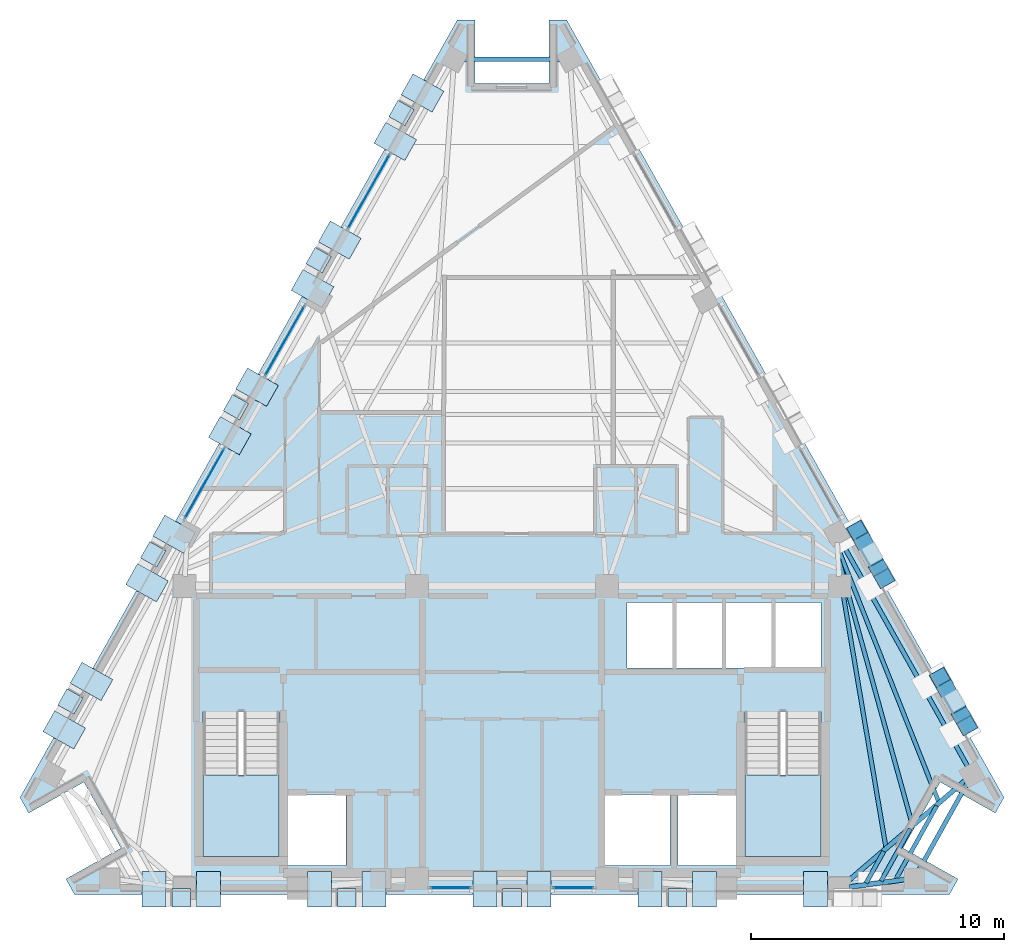
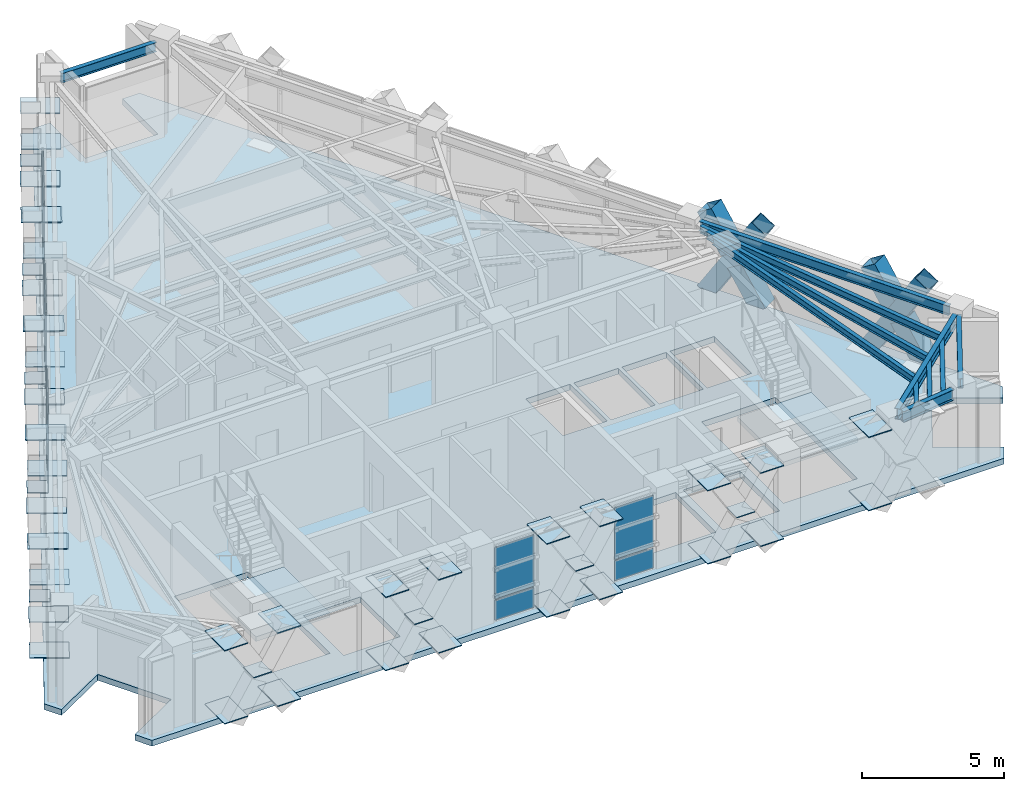
# One storey, part 5 of 11: 57 plates, 11 beams, 6 members, 3 slabs, 7 elements without a shape of their own.
"""IFC4 building model written with IfcOpenShell, lengths in metres."""

from ifc_helpers import new_model, si_unit, direction, frame, origin, origin_2d, place, context, subcontext, project, spatial, polyline, rectangle, hollow_rectangle, i_section, outline, extrude, material, layer, layer_set, material_profile, profile_set, type_object, element, aggregate, save


model = new_model("IFC4")

# Units and contexts
model_context = context("Model", 3, precision=1e-05, world=origin(), true_north=direction((0.0, 1.0)))
body_context = subcontext(model_context, "Body", "Model", "MODEL_VIEW")
ifc_project = project(units=[si_unit("LENGTHUNIT", "METRE"), si_unit("AREAUNIT", "SQUARE_METRE"), si_unit("VOLUMEUNIT", "CUBIC_METRE"), si_unit("PLANEANGLEUNIT", "RADIAN"), si_unit("MASSUNIT", "GRAM", prefix="KILO")], contexts=[model_context])

# Site, building, storey
site_placement = place(None, origin())
site = spatial("IfcSite", under=ifc_project, at=site_placement, CompositionType="ELEMENT")
building_placement = place(site_placement, origin())
building = spatial("IfcBuilding", under=site, at=building_placement, Name="Quenlor Broadcast Tower", CompositionType="ELEMENT")
storey_placement = place(building_placement, frame((0.0, 0.0, 242.89990234375)))
storey = spatial("IfcBuildingStorey", under=building, at=storey_placement, Name="L67", CompositionType="ELEMENT", Elevation=242.89990234375)

# Members
ifc_material_1 = material(Name="Steel S355", Category="steel")
ifc_material_profile_1 = material_profile(ifc_material_1, hollow_rectangle(XDim=0.679931640625, YDim=0.679931640625, WallThickness=0.02001953125, at=origin_2d()))
ifc_profile_set_1 = profile_set([ifc_material_profile_1], Name="Steel S355 RHS680x680x20")
member_type = type_object("IfcMemberType", Name="Perimeter Diagonal Lattice Brace Z5-Crown Steel S355 RHS680x20", PredefinedType="BRACE", material=ifc_profile_set_1)
member_1_placement = place(storey_placement, frame((13.635986328125, -2.5966796875, -0.119873046875), z_axis=(0.260563732169, -0.463283497491, 0.847038926161), x_axis=(0.871602253711, 0.49021374045, 0.0)))
element("IfcMember", 1, at=member_1_placement, inside=storey, type_object=member_type, Name="L67 Perimeter Diamond Lattice NE-C4XA", PredefinedType="BRACE", context=body_context, shape_type="SweptSolid", body=[
    extrude(hollow_rectangle(XDim=0.679931640625, YDim=0.679931640625, WallThickness=0.02001953125, at=origin_2d()), origin(), (0.0, 0.0, 1.0), 4.132080078125),
])
member_2_placement = place(storey_placement, frame((14.712646484375, -4.510986328125, -0.119873046875), z_axis=(-0.260577404715, 0.463203900539, 0.847078250622), x_axis=(-0.871555267041, -0.490297273593, 0.0)))
element("IfcMember", 2, at=member_2_placement, inside=storey, type_object=member_type, Name="L67 Perimeter Diamond Lattice NE-C4XB1", PredefinedType="BRACE", context=body_context, shape_type="SweptSolid", body=[
    extrude(hollow_rectangle(XDim=0.679931640625, YDim=0.679931640625, WallThickness=0.02001953125, at=origin_2d()), origin(), (0.0, 0.0, 1.0), 1.815673828125),
])
member_3_placement = place(storey_placement, frame((14.109130859375, -3.43798828125, 1.841796875), z_axis=(-0.260531504538, 0.463256741299, 0.847063472701), x_axis=(-0.871616063886, -0.490189185087, 0.0)))
element("IfcMember", 3, at=member_3_placement, inside=storey, type_object=member_type, Name="L67 Perimeter Diamond Lattice NE-C4XB2", PredefinedType="BRACE", context=body_context, shape_type="SweptSolid", body=[
    extrude(hollow_rectangle(XDim=0.679931640625, YDim=0.679931640625, WallThickness=0.02001953125, at=origin_2d()), origin(), (0.0, 0.0, 1.0), 1.816162109375),
])
member_4_placement = place(storey_placement, frame((16.905517578125, -8.40966796875, -0.119873046875), z_axis=(0.260618804175, -0.463276364439, 0.847025884529), x_axis=(0.8715547569, 0.490298180422, 0.0)))
element("IfcMember", 4, at=member_4_placement, inside=storey, type_object=member_type, Name="L67 Perimeter Diamond Lattice NE-C5XA", PredefinedType="BRACE", context=body_context, shape_type="SweptSolid", body=[
    extrude(hollow_rectangle(XDim=0.679931640625, YDim=0.679931640625, WallThickness=0.02001953125, at=origin_2d()), origin(), (0.0, 0.0, 1.0), 4.132080078125),
])
member_5_placement = place(storey_placement, frame((17.982421875, -10.323974609375, -0.119873046875), z_axis=(-0.26068648878, 0.463293264743, 0.846995811921), x_axis=(-0.871507987664, -0.490381308207, 0.0)))
element("IfcMember", 5, at=member_5_placement, inside=storey, type_object=member_type, Name="L67 Perimeter Diamond Lattice NE-C5XB1", PredefinedType="BRACE", context=body_context, shape_type="SweptSolid", body=[
    extrude(hollow_rectangle(XDim=0.679931640625, YDim=0.679931640625, WallThickness=0.02001953125, at=origin_2d()), origin(), (0.0, 0.0, 1.0), 1.81591796875),
])
member_6_placement = place(storey_placement, frame((17.37890625, -9.2509765625, 1.841796875), z_axis=(-0.260656806259, 0.463240512825, 0.847033798988), x_axis=(-0.871507987664, -0.490381308207, 0.0)))
element("IfcMember", 6, at=member_6_placement, inside=storey, type_object=member_type, Name="L67 Perimeter Diamond Lattice NE-C5XB2", PredefinedType="BRACE", context=body_context, shape_type="SweptSolid", body=[
    extrude(hollow_rectangle(XDim=0.679931640625, YDim=0.679931640625, WallThickness=0.02001953125, at=origin_2d()), origin(), (0.0, 0.0, 1.0), 1.816162109375),
])

# Beams
ifc_material_2 = material(Name="Steel S355", Category="steel")
ifc_material_profile_2 = material_profile(ifc_material_2, i_section(OverallWidth=0.177978515625, OverallDepth=0.406494140625, WebThickness=0.0078125, FlangeThickness=0.0126953125, FilletRadius=0.011474609375, at=origin_2d()))
ifc_profile_set_2 = profile_set([ifc_material_profile_2], Name="Steel S355 410UB59.7")
beam_type_1 = type_object("IfcBeamType", Name="Perimeter Spandrel Beam Z5 Steel S355 410UB59.7", PredefinedType="SPANDREL", material=ifc_profile_set_2)
beam_1_placement = place(storey_placement, frame((16.07275390625, -16.035400390625, 3.046875), z_axis=(0.486800618374, 0.873513112638, 0.0), x_axis=(-0.873513112638, 0.486800618374, 0.0)))
element("IfcBeam", 7, at=beam_1_placement, inside=storey, type_object=beam_type_1, Name="L67 Spandrel Beam S4-NE1", PredefinedType="SPANDREL", context=body_context, shape_type="SweptSolid", body=[
    extrude(i_section(OverallWidth=0.177978515625, OverallDepth=0.406494140625, WebThickness=0.0078125, FlangeThickness=0.0126953125, FilletRadius=0.011474609375, at=origin_2d()), origin(), (0.0, 0.0, 1.0), 3.9736328125),
])
beam_2_placement = place(storey_placement, frame((18.005859375, -11.93603515625, 3.046875), z_axis=(-0.490274867878, 0.871567871096, 0.0), x_axis=(-0.871567871096, -0.490274867878, 0.0)))
element("IfcBeam", 8, at=beam_2_placement, inside=storey, type_object=beam_type_1, Name="L67 Spandrel Beam NE1-NE2", PredefinedType="SPANDREL", context=body_context, shape_type="SweptSolid", body=[
    extrude(i_section(OverallWidth=0.177978515625, OverallDepth=0.406494140625, WebThickness=0.0078125, FlangeThickness=0.0126953125, FilletRadius=0.011474609375, at=origin_2d()), origin(), (0.0, 0.0, 1.0), 10.206298828125),
])
beam_3_placement = place(storey_placement, frame((1.9248046875, 16.012451171875, 3.046875), z_axis=(-1.0, 0.0, 0.0), x_axis=(0.0, -1.0, 0.0)))
element("IfcBeam", 9, at=beam_3_placement, inside=storey, type_object=beam_type_1, Name="L67 Spandrel Beam NE4-NW1", PredefinedType="SPANDREL", context=body_context, shape_type="SweptSolid", body=[
    extrude(i_section(OverallWidth=0.177978515625, OverallDepth=0.406494140625, WebThickness=0.0078125, FlangeThickness=0.0126953125, FilletRadius=0.011474609375, at=origin_2d()), origin(), (0.0, 0.0, 1.0), 3.849609375),
])
ifc_material_3 = material(Name="Steel S355", Category="steel")
ifc_material_profile_3 = material_profile(ifc_material_3, i_section(OverallWidth=0.166015625, OverallDepth=0.30712890625, WebThickness=0.006591796875, FlangeThickness=0.01171875, FilletRadius=0.011474609375, at=origin_2d()))
ifc_profile_set_3 = profile_set([ifc_material_profile_3], Name="Steel S355 310UB46.2")
beam_type_2 = type_object("IfcBeamType", Name="Tower Composite Joist Z4-Z5 Steel S355 310UB46.2", PredefinedType="JOIST", material=ifc_profile_set_3)
beam_4_placement = place(storey_placement, frame((14.76806640625, -15.09619140625, 3.096435546875), z_axis=(-0.166553293246, 0.986032454085, 0.0), x_axis=(-0.986032454085, -0.166553293246, 0.0)))
element("IfcBeam", 10, at=beam_4_placement, inside=storey, type_object=beam_type_2, Name="L67 Secondary Composite Joist 16", PredefinedType="JOIST", context=body_context, shape_type="SweptSolid", body=[
    extrude(i_section(OverallWidth=0.166015625, OverallDepth=0.30712890625, WebThickness=0.006591796875, FlangeThickness=0.01171875, FilletRadius=0.011474609375, at=origin_2d()), origin(), (0.0, 0.0, 1.0), 11.097900390625),
])
beam_5_placement = place(storey_placement, frame((15.806396484375, -14.197998046875, 3.096435546875), z_axis=(-0.26744552871, 0.96357298072, 0.0), x_axis=(-0.96357298072, -0.26744552871, 0.0)))
element("IfcBeam", 11, at=beam_5_placement, inside=storey, type_object=beam_type_2, Name="L67 Secondary Composite Joist 17", PredefinedType="JOIST", context=body_context, shape_type="SweptSolid", body=[
    extrude(i_section(OverallWidth=0.166015625, OverallDepth=0.30712890625, WebThickness=0.006591796875, FlangeThickness=0.01171875, FilletRadius=0.011474609375, at=origin_2d()), origin(), (0.0, 0.0, 1.0), 10.856689453125),
])
beam_6_placement = place(storey_placement, frame((16.8447265625, -13.300537109375, 3.096435546875), z_axis=(-0.368680258049, 0.929556274426, 0.0), x_axis=(-0.929556274426, -0.368680258049, 0.0)))
element("IfcBeam", 12, at=beam_6_placement, inside=storey, type_object=beam_type_2, Name="L67 Secondary Composite Joist 18", PredefinedType="JOIST", context=body_context, shape_type="SweptSolid", body=[
    extrude(i_section(OverallWidth=0.166015625, OverallDepth=0.30712890625, WebThickness=0.006591796875, FlangeThickness=0.01171875, FilletRadius=0.011474609375, at=origin_2d()), origin(), (0.0, 0.0, 1.0), 10.737548828125),
])
beam_7_placement = place(storey_placement, frame((13.9912109375, -16.544189453125, 3.096435546875), z_axis=(0.486624304452, 0.873611347406, 0.0), x_axis=(-0.873611347406, 0.486624304452, 0.0)))
element("IfcBeam", 13, at=beam_7_placement, inside=storey, type_object=beam_type_2, Name="L67 Secondary Composite Joist 22", PredefinedType="JOIST", context=body_context, shape_type="SweptSolid", body=[
    extrude(i_section(OverallWidth=0.166015625, OverallDepth=0.30712890625, WebThickness=0.006591796875, FlangeThickness=0.01171875, FilletRadius=0.011474609375, at=origin_2d()), origin(), (0.0, 0.0, 1.0), 1.435791015625),
])
beam_8_placement = place(storey_placement, frame((14.58056640625, -16.464111328125, 3.096435546875), z_axis=(0.486820963037, 0.873501774439, 0.0), x_axis=(-0.873501774439, 0.486820963037, 0.0)))
element("IfcBeam", 14, at=beam_8_placement, inside=storey, type_object=beam_type_2, Name="L67 Secondary Composite Joist 23", PredefinedType="JOIST", context=body_context, shape_type="SweptSolid", body=[
    extrude(i_section(OverallWidth=0.166015625, OverallDepth=0.30712890625, WebThickness=0.006591796875, FlangeThickness=0.01171875, FilletRadius=0.011474609375, at=origin_2d()), origin(), (0.0, 0.0, 1.0), 2.37451171875),
])
beam_9_placement = place(storey_placement, frame((15.170166015625, -16.384033203125, 3.096435546875), z_axis=(0.486762404011, 0.873534408046, 0.0), x_axis=(-0.873534408046, 0.486762404011, 0.0)))
element("IfcBeam", 15, at=beam_9_placement, inside=storey, type_object=beam_type_2, Name="L67 Secondary Composite Joist 24", PredefinedType="JOIST", context=body_context, shape_type="SweptSolid", body=[
    extrude(i_section(OverallWidth=0.166015625, OverallDepth=0.30712890625, WebThickness=0.006591796875, FlangeThickness=0.01171875, FilletRadius=0.011474609375, at=origin_2d()), origin(), (0.0, 0.0, 1.0), 3.313232421875),
])
ifc_material_4 = material(Name="Steel S355", Category="steel")
ifc_material_profile_4 = material_profile(ifc_material_4, i_section(OverallWidth=0.19091796875, OverallDepth=0.46044921875, WebThickness=0.010009765625, FlangeThickness=0.01611328125, FilletRadius=0.011474609375, at=origin_2d()))
ifc_profile_set_4 = profile_set([ifc_material_profile_4], Name="Steel S355 460UB82.1")
beam_type_3 = type_object("IfcBeamType", Name="Tower Primary Floor Beam Z5 Steel S355 460UB82.1", PredefinedType="BEAM", material=ifc_profile_set_4)
beam_10_placement = place(storey_placement, frame((15.541015625, -16.3984375, 3.02001953125), z_axis=(-0.990917044125, -0.134474576267, 0.0), x_axis=(0.134474576267, -0.990917044125, 0.0)))
element("IfcBeam", 16, at=beam_10_placement, inside=storey, type_object=beam_type_3, Name="L67 Primary Radial Beam S4", PredefinedType="BEAM", context=body_context, shape_type="SweptSolid", body=[
    extrude(i_section(OverallWidth=0.19091796875, OverallDepth=0.46044921875, WebThickness=0.010009765625, FlangeThickness=0.01611328125, FilletRadius=0.011474609375, at=origin_2d()), origin(), (0.0, 0.0, 1.0), 2.23486328125),
])
beam_11_placement = place(storey_placement, frame((17.909423828125, -12.484619140625, 3.02001953125), z_axis=(-0.75817030855, -0.652056579779, 0.0), x_axis=(0.652056579779, -0.75817030855, 0.0)))
element("IfcBeam", 17, at=beam_11_placement, inside=storey, type_object=beam_type_3, Name="L67 Primary Radial Beam NE1", PredefinedType="BEAM", context=body_context, shape_type="SweptSolid", body=[
    extrude(i_section(OverallWidth=0.19091796875, OverallDepth=0.46044921875, WebThickness=0.010009765625, FlangeThickness=0.01611328125, FilletRadius=0.011474609375, at=origin_2d()), origin(), (0.0, 0.0, 1.0), 6.161376953125),
])

# Curtain wall, plates
ifc_material_5 = material(Name="Architectural Terracotta and Low-E Glazing", Category="masonry")
curtain_wall_type = type_object("IfcCurtainWallType", Name="Unitised Terracotta Curtain Wall System Z5", PredefinedType="NOTDEFINED", material=ifc_material_5)
curtain_wall_1_placement = place(storey_placement, origin())
curtain_wall_1 = element("IfcCurtainWall", 18, at=curtain_wall_1_placement, inside=storey, type_object=curtain_wall_type, Name="L67 Curtain Wall CW5 (L67-S-G1)", PredefinedType="NOTDEFINED")
ifc_material_6 = material(Name="Double Glazed Low-E Solar Glass", Category="glass")
ifc_layer_1 = layer(ifc_material_6, 0.02587890625)
ifc_layer_set_1 = layer_set([ifc_layer_1], Name="CW5 Double Glazed Vision Panel 26")
plate_type_1 = type_object("IfcPlateType", Name="CW5 Double Glazed Vision Panel 26", PredefinedType="CURTAIN_PANEL", material=ifc_layer_set_1)
plate_1_placement = place(storey_placement, frame((2.42578125, -16.72509765625, 0.065185546875), z_axis=(0.0, 0.0, 1.0), x_axis=(-1.0, 0.0, 0.0)))
plate_1 = element("IfcPlate", 19, at=plate_1_placement, type_object=plate_type_1, Name="CW5 panel 1.1", PredefinedType="CURTAIN_PANEL", context=body_context, shape_type="SweptSolid", body=[
    extrude(rectangle(XDim=1.578369140625, YDim=0.02587890625, at=origin_2d()), origin(), (0.0, 0.0, 1.0), 0.8525390625),
])
plate_2_placement = place(storey_placement, frame((2.42578125, -16.72509765625, 0.982421875), z_axis=(0.0, 0.0, 1.0), x_axis=(-1.0, 0.0, 0.0)))
plate_2 = element("IfcPlate", 20, at=plate_2_placement, type_object=plate_type_1, Name="CW5 panel 1.2", PredefinedType="CURTAIN_PANEL", context=body_context, shape_type="SweptSolid", body=[
    extrude(rectangle(XDim=1.578369140625, YDim=0.02587890625, at=origin_2d()), origin(), (0.0, 0.0, 1.0), 2.202392578125),
])
aggregate(curtain_wall_1, [plate_1, plate_2])

curtain_wall_2_placement = place(storey_placement, origin())
curtain_wall_2 = element("IfcCurtainWall", 21, at=curtain_wall_2_placement, inside=storey, type_object=curtain_wall_type, Name="L67 Curtain Wall CW5 (L67-S-G2)", PredefinedType="NOTDEFINED")
plate_3_placement = place(storey_placement, frame((-2.42578125, -16.72509765625, 0.065185546875), z_axis=(0.0, 0.0, 1.0), x_axis=(-1.0, 0.0, 0.0)))
plate_3 = element("IfcPlate", 22, at=plate_3_placement, type_object=plate_type_1, Name="CW5 panel 1.1", PredefinedType="CURTAIN_PANEL", context=body_context, shape_type="SweptSolid", body=[
    extrude(rectangle(XDim=1.578369140625, YDim=0.02587890625, at=origin_2d()), origin(), (0.0, 0.0, 1.0), 0.8525390625),
])
plate_4_placement = place(storey_placement, frame((-2.42578125, -16.72509765625, 0.982421875), z_axis=(0.0, 0.0, 1.0), x_axis=(-1.0, 0.0, 0.0)))
plate_4 = element("IfcPlate", 23, at=plate_4_placement, type_object=plate_type_1, Name="CW5 panel 1.2", PredefinedType="CURTAIN_PANEL", context=body_context, shape_type="SweptSolid", body=[
    extrude(rectangle(XDim=1.578369140625, YDim=0.02587890625, at=origin_2d()), origin(), (0.0, 0.0, 1.0), 2.202392578125),
])
aggregate(curtain_wall_2, [plate_3, plate_4])

curtain_wall_3_placement = place(storey_placement, origin())
curtain_wall_3 = element("IfcCurtainWall", 24, at=curtain_wall_3_placement, inside=storey, type_object=curtain_wall_type, Name="L67 Curtain Wall CW5 (L67-NWC-G1)", PredefinedType="NOTDEFINED")
plate_5_placement = place(storey_placement, frame((-5.65576171875, 10.784423828125, 0.065185546875), z_axis=(0.0, 0.0, 1.0), x_axis=(0.490250335582, 0.871581670563, 0.0)))
plate_5 = element("IfcPlate", 25, at=plate_5_placement, type_object=plate_type_1, Name="CW5 panel 1.1", PredefinedType="CURTAIN_PANEL", context=body_context, shape_type="SweptSolid", body=[
    extrude(rectangle(XDim=3.353271484375, YDim=0.02587890625, at=origin_2d()), origin(), (0.0, 0.0, 1.0), 0.8525390625),
])
plate_6_placement = place(storey_placement, frame((-5.65576171875, 10.784423828125, 0.982421875), z_axis=(0.0, 0.0, 1.0), x_axis=(0.490250335582, 0.871581670563, 0.0)))
plate_6 = element("IfcPlate", 26, at=plate_6_placement, type_object=plate_type_1, Name="CW5 panel 1.2", PredefinedType="CURTAIN_PANEL", context=body_context, shape_type="SweptSolid", body=[
    extrude(rectangle(XDim=3.353271484375, YDim=0.02587890625, at=origin_2d()), origin(), (0.0, 0.0, 1.0), 2.202392578125),
])
aggregate(curtain_wall_3, [plate_5, plate_6])

curtain_wall_4_placement = place(storey_placement, origin())
curtain_wall_4 = element("IfcCurtainWall", 27, at=curtain_wall_4_placement, inside=storey, type_object=curtain_wall_type, Name="L67 Curtain Wall CW5 (L67-NW-G1)", PredefinedType="NOTDEFINED")
plate_7_placement = place(storey_placement, frame((-12.143798828125, -0.75, 0.065185546875), z_axis=(0.0, 0.0, 1.0), x_axis=(0.490262689797, 0.871574721405, 0.0)))
plate_7 = element("IfcPlate", 28, at=plate_7_placement, type_object=plate_type_1, Name="CW5 panel 1.1", PredefinedType="CURTAIN_PANEL", context=body_context, shape_type="SweptSolid", body=[
    extrude(rectangle(XDim=3.14404296875, YDim=0.02587890625, at=origin_2d()), origin(), (0.0, 0.0, 1.0), 0.8525390625),
])
plate_8_placement = place(storey_placement, frame((-12.143798828125, -0.75, 0.982421875), z_axis=(0.0, 0.0, 1.0), x_axis=(0.490262689797, 0.871574721405, 0.0)))
plate_8 = element("IfcPlate", 29, at=plate_8_placement, type_object=plate_type_1, Name="CW5 panel 1.2", PredefinedType="CURTAIN_PANEL", context=body_context, shape_type="SweptSolid", body=[
    extrude(rectangle(XDim=3.14404296875, YDim=0.02587890625, at=origin_2d()), origin(), (0.0, 0.0, 1.0), 2.202392578125),
])
aggregate(curtain_wall_4, [plate_7, plate_8])

curtain_wall_5_placement = place(storey_placement, origin())
curtain_wall_5 = element("IfcCurtainWall", 30, at=curtain_wall_5_placement, inside=storey, type_object=curtain_wall_type, Name="L67 Curtain Wall CW5 (L67-NW-G2)", PredefinedType="NOTDEFINED")
plate_9_placement = place(storey_placement, frame((-8.976806640625, 4.88037109375, 0.065185546875), z_axis=(0.0, 0.0, 1.0), x_axis=(0.490262689797, 0.871574721405, 0.0)))
plate_9 = element("IfcPlate", 31, at=plate_9_placement, type_object=plate_type_1, Name="CW5 panel 1.1", PredefinedType="CURTAIN_PANEL", context=body_context, shape_type="SweptSolid", body=[
    extrude(rectangle(XDim=3.14404296875, YDim=0.02587890625, at=origin_2d()), origin(), (0.0, 0.0, 1.0), 0.8525390625),
])
plate_10_placement = place(storey_placement, frame((-8.976806640625, 4.88037109375, 0.982421875), z_axis=(0.0, 0.0, 1.0), x_axis=(0.490262689797, 0.871574721405, 0.0)))
plate_10 = element("IfcPlate", 32, at=plate_10_placement, type_object=plate_type_1, Name="CW5 panel 1.2", PredefinedType="CURTAIN_PANEL", context=body_context, shape_type="SweptSolid", body=[
    extrude(rectangle(XDim=3.14404296875, YDim=0.02587890625, at=origin_2d()), origin(), (0.0, 0.0, 1.0), 2.202392578125),
])
aggregate(curtain_wall_5, [plate_9, plate_10])

# Plates
ifc_material_7 = material(Name="Steel S355", Category="steel")
ifc_layer_2 = layer(ifc_material_7, 0.028076171875)
ifc_layer_set_2 = layer_set([ifc_layer_2], Name="Perimeter Lattice Node Steel S355 Cap Plate 740x740x28")
plate_type_2 = type_object("IfcPlateType", Name="Perimeter Lattice Node Steel S355 Cap Plate 740x740x28", PredefinedType="USERDEFINED", material=ifc_layer_set_2)
for number, where, z_axis, x_axis, name in (
    (33, (6.531982421875, -17.1201171875, 1.6162109375), (0.0, 0.0, 1.0), (-1.0, 0.0, 0.0), "L67 Diamond Lattice Crossing Node S-C2"),
    (34, (0.0, -17.1201171875, 1.6162109375), (0.0, 0.0, 1.0), (-1.0, 0.0, 0.0), "L67 Diamond Lattice Crossing Node S-C3"),
    (35, (-6.531982421875, -17.1201171875, 1.6162109375), (0.0, 0.0, 1.0), (-1.0, 0.0, 0.0), "L67 Diamond Lattice Crossing Node S-C4"),
    (36, (-13.06396484375, -17.1201171875, 1.6162109375), (0.0, 0.0, 1.0), (-1.0, 0.0, 0.0), "L67 Diamond Lattice Crossing Node S-C5"),
    (37, (-17.444091796875, -9.36669921875, 1.6162109375), (0.0, 0.0, 1.0), (0.490295412055, 0.871556314255, 0.0), "L67 Diamond Lattice Crossing Node NW-C1"),
    (38, (-14.17431640625, -3.553955078125, 1.6162109375), (0.0, 0.0, 1.0), (0.490295412055, 0.871556314255, 0.0), "L67 Diamond Lattice Crossing Node NW-C2"),
    (39, (-10.904541015625, 2.2587890625, 1.6162109375), (0.0, 0.0, 1.0), (0.490295412055, 0.871556314255, 0.0), "L67 Diamond Lattice Crossing Node NW-C3"),
    (40, (-7.635009765625, 8.071533203125, 1.6162109375), (0.0, 0.0, 1.0), (0.490295412055, 0.871556314255, 0.0), "L67 Diamond Lattice Crossing Node NW-C4"),
    (41, (-4.365234375, 13.884521484375, 1.6162109375), (0.0, 0.0, 1.0), (0.490295412055, 0.871556314255, 0.0), "L67 Diamond Lattice Crossing Node NW-C5"),
):
    element("IfcPlate", number, at=place(storey_placement, frame(where, z_axis=z_axis, x_axis=x_axis)), inside=storey, type_object=plate_type_2, Name=name, ObjectType="CAP PLATE", PredefinedType="USERDEFINED", context=body_context, shape_type="SweptSolid", body=[
        extrude(rectangle(XDim=0.739990234375, YDim=0.739990234375, at=origin_2d()), origin(), (0.0, 0.0, 1.0), 0.028076171875),
    ])

# Stair, slab
ifc_material_8 = material(Name="Precast concrete C40/50", Category="concrete")
stair_type = type_object("IfcStairType", Name="Precast Concrete C40/50 Dogleg Stair H350", PredefinedType="HALF_TURN_STAIR", material=ifc_material_8)
stair_1_placement = place(storey_placement, origin())
stair_1 = element("IfcStair", 42, at=stair_1_placement, inside=storey, type_object=stair_type, Name="L67 West Core Fire-Isolated Exit Stair ST-1", PredefinedType="HALF_TURN_STAIR")
ifc_material_9 = material(Name="Precast concrete C40/50", Category="concrete")
ifc_layer_3 = layer(ifc_material_9, 0.199951171875)
ifc_layer_set_3 = layer_set([ifc_layer_3], Name="Precast Concrete C40/50 Stair Landing Slab 200")
slab_type_1 = type_object("IfcSlabType", Name="Precast Concrete C40/50 Stair Landing Slab 200", PredefinedType="LANDING", material=ifc_layer_set_3)
slab_1_placement = place(storey_placement, frame((0.0, 0.0, 1.550048828125)))
slab_1 = element("IfcSlab", 43, at=slab_1_placement, type_object=slab_type_1, Name="ST-1 landing 1", PredefinedType="LANDING", context=body_context, shape_type="SweptSolid", body=[
    extrude(outline(polyline([(-12.199951171875, -12.27001953125), (-12.199951171875, -15.5), (-9.199951171875, -15.5), (-9.199951171875, -12.27001953125), (-12.199951171875, -12.27001953125)])), origin(), (0.0, 0.0, 1.0), 0.199951171875),
])
aggregate(stair_1, [slab_1])

stair_2_placement = place(storey_placement, origin())
stair_2 = element("IfcStair", 44, at=stair_2_placement, inside=storey, type_object=stair_type, Name="L67 East Core Fire-Isolated Exit Stair ST-2", PredefinedType="HALF_TURN_STAIR")
slab_2_placement = place(storey_placement, frame((0.0, 0.0, 1.550048828125)))
slab_2 = element("IfcSlab", 45, at=slab_2_placement, type_object=slab_type_1, Name="ST-2 landing 1", PredefinedType="LANDING", context=body_context, shape_type="SweptSolid", body=[
    extrude(outline(polyline([(9.199951171875, -12.27001953125), (9.199951171875, -15.5), (12.199951171875, -15.5), (12.199951171875, -12.27001953125), (9.199951171875, -12.27001953125)])), origin(), (0.0, 0.0, 1.0), 0.199951171875),
])
aggregate(stair_2, [slab_2])

# Slab
ifc_material_10 = material(Name="Concrete C40/50", Category="concrete")
ifc_layer_4 = layer(ifc_material_10, 0.25)
ifc_layer_set_4 = layer_set([ifc_layer_4], Name="Tower Composite Concrete C40/50 Slab 250")
slab_type_2 = type_object("IfcSlabType", Name="Tower Composite Concrete C40/50 Slab 250", PredefinedType="FLOOR", material=ifc_layer_set_4)
slab_3_placement = place(storey_placement, frame((0.0, 0.0, -0.25)))
element("IfcSlab", 46, at=slab_3_placement, inside=storey, type_object=slab_type_2, Name="L67 Structural Floor Slab", PredefinedType="FLOOR", context=body_context, shape_type="SweptSolid", body=[
    extrude(outline(polyline([(17.280029296875, -17.0), (17.62548828125, -16.385498046875), (15.44677734375, -15.159912109375), (16.91552734375, -12.548583984375), (19.094482421875, -13.7744140625), (19.43994140625, -13.159912109375), (2.159912109375, 17.56005859375), (1.46875, 17.56005859375), (1.46875, 15.06005859375), (-1.46875, 15.06005859375), (-1.46875, 17.56005859375), (-2.159912109375, 17.56005859375), (-19.43994140625, -13.159912109375), (-19.094482421875, -13.7744140625), (-16.91552734375, -12.548583984375), (-15.44677734375, -15.159912109375), (-17.62548828125, -16.385498046875), (-17.280029296875, -17.0), (17.280029296875, -17.0)]), holes=[polyline([(-12.199951171875, -9.758056640625), (-12.199951171875, -15.5), (-9.199951171875, -15.5), (-9.199951171875, -9.758056640625), (-12.199951171875, -9.758056640625)]), polyline([(9.199951171875, -9.758056640625), (9.199951171875, -15.5), (12.199951171875, -15.5), (12.199951171875, -9.758056640625), (9.199951171875, -9.758056640625)]), polyline([(4.550048828125, -8.050048828125), (6.35009765625, -8.050048828125), (6.35009765625, -5.449951171875), (4.550048828125, -5.449951171875), (4.550048828125, -8.050048828125)]), polyline([(6.5, -8.050048828125), (8.300048828125, -8.050048828125), (8.300048828125, -5.449951171875), (6.5, -5.449951171875), (6.5, -8.050048828125)]), polyline([(8.449951171875, -8.050048828125), (10.25, -8.050048828125), (10.25, -5.449951171875), (8.449951171875, -5.449951171875), (8.449951171875, -8.050048828125)]), polyline([(10.39990234375, -8.050048828125), (12.199951171875, -8.050048828125), (12.199951171875, -5.449951171875), (10.39990234375, -5.449951171875), (10.39990234375, -8.050048828125)]), polyline([(-8.85009765625, -15.85009765625), (-6.550048828125, -15.85009765625), (-6.550048828125, -13.050048828125), (-8.85009765625, -13.050048828125), (-8.85009765625, -15.85009765625)]), polyline([(6.550048828125, -15.85009765625), (8.85009765625, -15.85009765625), (8.85009765625, -13.050048828125), (6.550048828125, -13.050048828125), (6.550048828125, -15.85009765625)]), polyline([(3.64990234375, -15.85009765625), (6.25, -15.85009765625), (6.25, -13.050048828125), (3.64990234375, -13.050048828125), (3.64990234375, -15.85009765625)])]), origin(), (0.0, 0.0, 1.0), 0.25),
])

# Plates
ifc_material_11 = material(Name="Steel S355", Category="steel")
ifc_layer_5 = layer(ifc_material_11, 0.035888671875)
ifc_layer_set_5 = layer_set([ifc_layer_5], Name="Transfer Truss Steel S355 Gusset Node Plate 1400x950x36")
plate_type_3 = type_object("IfcPlateType", Name="Transfer Truss Steel S355 Gusset Node Plate 1400x950x36", PredefinedType="SHEET", material=ifc_layer_set_5)
for number, where, z_axis, x_axis, name in (
    (47, (11.98828125, -16.784912109375, 3.18212890625), (0.0, 0.0, 1.0), (0.0, -1.0, 0.0), "L67 Lattice Tie Gusset Node S-T2"),
    (48, (11.98828125, -16.784912109375, 0.0419921875), (0.0, 0.0, 1.0), (0.0, -1.0, 0.0), "L67 Lattice Tie Gusset Node S-B2"),
    (49, (7.607666015625, -16.784912109375, 0.0419921875), (0.0, 0.0, 1.0), (0.0, -1.0, 0.0), "L67 Lattice Tie Gusset Node S-B4"),
    (50, (5.456298828125, -16.784912109375, 3.18212890625), (0.0, 0.0, 1.0), (0.0, -1.0, 0.0), "L67 Lattice Tie Gusset Node S-T5"),
    (51, (5.456298828125, -16.784912109375, 0.0419921875), (0.0, 0.0, 1.0), (0.0, -1.0, 0.0), "L67 Lattice Tie Gusset Node S-B5"),
    (52, (7.607666015625, -16.784912109375, 3.18212890625), (0.0, 0.0, 1.0), (0.0, -1.0, 0.0), "L67 Lattice Tie Gusset Node S-T4"),
    (53, (1.07568359375, -16.784912109375, 0.0419921875), (0.0, 0.0, 1.0), (0.0, -1.0, 0.0), "L67 Lattice Tie Gusset Node S-B7"),
    (54, (-1.07568359375, -16.784912109375, 3.18212890625), (0.0, 0.0, 1.0), (0.0, -1.0, 0.0), "L67 Lattice Tie Gusset Node S-T8"),
    (55, (-1.07568359375, -16.784912109375, 0.0419921875), (0.0, 0.0, 1.0), (0.0, -1.0, 0.0), "L67 Lattice Tie Gusset Node S-B8"),
    (56, (1.07568359375, -16.784912109375, 3.18212890625), (0.0, 0.0, 1.0), (0.0, -1.0, 0.0), "L67 Lattice Tie Gusset Node S-T7"),
    (57, (-5.456298828125, -16.784912109375, 0.0419921875), (0.0, 0.0, 1.0), (0.0, -1.0, 0.0), "L67 Lattice Tie Gusset Node S-B10"),
    (58, (-7.607666015625, -16.784912109375, 3.18212890625), (0.0, 0.0, 1.0), (0.0, -1.0, 0.0), "L67 Lattice Tie Gusset Node S-T11"),
    (59, (-7.607666015625, -16.784912109375, 0.0419921875), (0.0, 0.0, 1.0), (0.0, -1.0, 0.0), "L67 Lattice Tie Gusset Node S-B11"),
    (60, (-5.456298828125, -16.784912109375, 3.18212890625), (0.0, 0.0, 1.0), (0.0, -1.0, 0.0), "L67 Lattice Tie Gusset Node S-T10"),
    (61, (-11.98828125, -16.784912109375, 0.0419921875), (0.0, 0.0, 1.0), (0.0, -1.0, 0.0), "L67 Lattice Tie Gusset Node S-B13"),
    (62, (-14.1396484375, -16.784912109375, 3.18212890625), (0.0, 0.0, 1.0), (0.0, -1.0, 0.0), "L67 Lattice Tie Gusset Node S-T14"),
    (63, (-14.1396484375, -16.784912109375, 0.0419921875), (0.0, 0.0, 1.0), (0.0, -1.0, 0.0), "L67 Lattice Tie Gusset Node S-B14"),
    (64, (-11.98828125, -16.784912109375, 3.18212890625), (0.0, 0.0, 1.0), (0.0, -1.0, 0.0), "L67 Lattice Tie Gusset Node S-T13"),
    (65, (-17.6904296875, -10.48828125, 0.0419921875), (0.0, 0.0, 1.0), (-0.871556314255, 0.490295412055, 0.0), "L67 Lattice Tie Gusset Node NW-B1"),
    (66, (-16.613525390625, -8.57373046875, 3.18212890625), (0.0, 0.0, 1.0), (-0.871556314255, 0.490295412055, 0.0), "L67 Lattice Tie Gusset Node NW-T2"),
    (67, (-16.613525390625, -8.57373046875, 0.0419921875), (0.0, 0.0, 1.0), (-0.871556314255, 0.490295412055, 0.0), "L67 Lattice Tie Gusset Node NW-B2"),
    (68, (-17.6904296875, -10.48828125, 3.18212890625), (0.0, 0.0, 1.0), (-0.871556314255, 0.490295412055, 0.0), "L67 Lattice Tie Gusset Node NW-T1"),
    (69, (-14.420654296875, -4.67529296875, 0.0419921875), (0.0, 0.0, 1.0), (-0.871556314255, 0.490295412055, 0.0), "L67 Lattice Tie Gusset Node NW-B4"),
    (70, (-13.343994140625, -2.760986328125, 3.18212890625), (0.0, 0.0, 1.0), (-0.871556314255, 0.490295412055, 0.0), "L67 Lattice Tie Gusset Node NW-T5"),
    (71, (-13.343994140625, -2.760986328125, 0.0419921875), (0.0, 0.0, 1.0), (-0.871556314255, 0.490295412055, 0.0), "L67 Lattice Tie Gusset Node NW-B5"),
    (72, (-14.420654296875, -4.67529296875, 3.18212890625), (0.0, 0.0, 1.0), (-0.871556314255, 0.490295412055, 0.0), "L67 Lattice Tie Gusset Node NW-T4"),
    (73, (-11.15087890625, 1.137451171875, 0.0419921875), (0.0, 0.0, 1.0), (-0.871556314255, 0.490295412055, 0.0), "L67 Lattice Tie Gusset Node NW-B7"),
    (74, (-10.07421875, 3.0517578125, 3.18212890625), (0.0, 0.0, 1.0), (-0.871556314255, 0.490295412055, 0.0), "L67 Lattice Tie Gusset Node NW-T8"),
    (75, (-10.07421875, 3.0517578125, 0.0419921875), (0.0, 0.0, 1.0), (-0.871556314255, 0.490295412055, 0.0), "L67 Lattice Tie Gusset Node NW-B8"),
    (76, (-11.15087890625, 1.137451171875, 3.18212890625), (0.0, 0.0, 1.0), (-0.871556314255, 0.490295412055, 0.0), "L67 Lattice Tie Gusset Node NW-T7"),
    (77, (-7.88134765625, 6.9501953125, 0.0419921875), (0.0, 0.0, 1.0), (-0.871556314255, 0.490295412055, 0.0), "L67 Lattice Tie Gusset Node NW-B10"),
    (78, (-6.804443359375, 8.864501953125, 3.18212890625), (0.0, 0.0, 1.0), (-0.871556314255, 0.490295412055, 0.0), "L67 Lattice Tie Gusset Node NW-T11"),
    (79, (-6.804443359375, 8.864501953125, 0.0419921875), (0.0, 0.0, 1.0), (-0.871556314255, 0.490295412055, 0.0), "L67 Lattice Tie Gusset Node NW-B11"),
    (80, (-7.88134765625, 6.9501953125, 3.18212890625), (0.0, 0.0, 1.0), (-0.871556314255, 0.490295412055, 0.0), "L67 Lattice Tie Gusset Node NW-T10"),
    (81, (-4.611572265625, 12.762939453125, 0.0419921875), (0.0, 0.0, 1.0), (-0.871556314255, 0.490295412055, 0.0), "L67 Lattice Tie Gusset Node NW-B13"),
    (82, (-3.534912109375, 14.677490234375, 3.18212890625), (0.0, 0.0, 1.0), (-0.871556314255, 0.490295412055, 0.0), "L67 Lattice Tie Gusset Node NW-T14"),
    (83, (-3.534912109375, 14.677490234375, 0.0419921875), (0.0, 0.0, 1.0), (-0.871556314255, 0.490295412055, 0.0), "L67 Lattice Tie Gusset Node NW-B14"),
    (84, (-4.611572265625, 12.762939453125, 3.18212890625), (0.0, 0.0, 1.0), (-0.871556314255, 0.490295412055, 0.0), "L67 Lattice Tie Gusset Node NW-T13"),
):
    element("IfcPlate", number, at=place(storey_placement, frame(where, z_axis=z_axis, x_axis=x_axis)), inside=storey, type_object=plate_type_3, Name=name, PredefinedType="SHEET", context=body_context, shape_type="SweptSolid", body=[
        extrude(rectangle(XDim=1.39990234375, YDim=0.949951171875, at=origin_2d()), origin(), (0.0, 0.0, 1.0), 0.035888671875),
    ])

save(model, "model.ifc")
